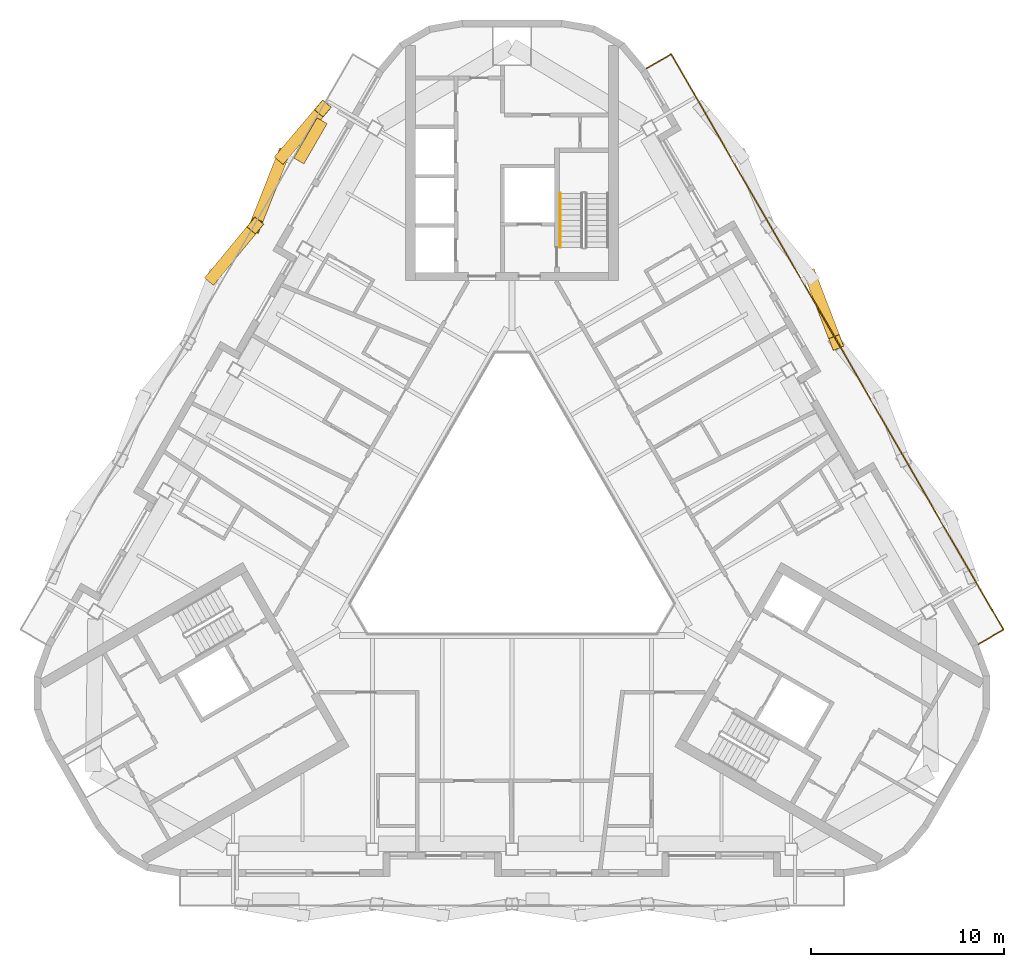
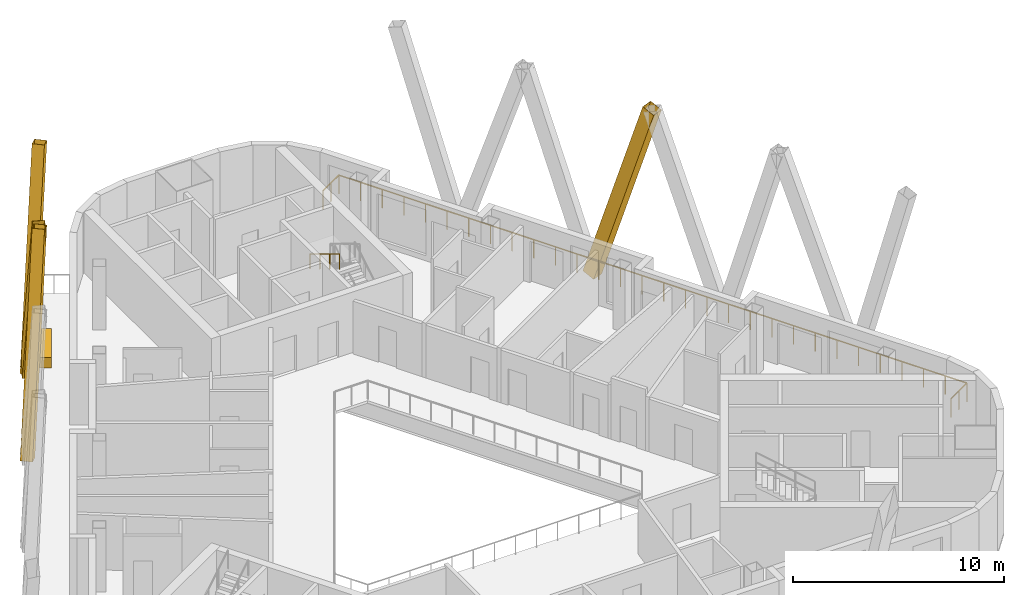
# One storey, part 12 of 13: 4 shading devices, 2 railings, 1 covering.
"""IFC4 building model written with IfcOpenShell, lengths in metres."""

from ifc_helpers import new_model, si_unit, direction, frame, origin, origin_2d, place, context, subcontext, project, spatial, rectangle, hollow_rectangle, circle, extrude, material, material_profile, profile_set, type_object, element, save


model = new_model("IFC4")

# Units and contexts
model_context = context("Model", 3, precision=1e-05, world=origin(), true_north=direction((0.0, 1.0)))
body_context = subcontext(model_context, "Body", "Model", "MODEL_VIEW")
ifc_project = project(units=[si_unit("LENGTHUNIT", "METRE"), si_unit("AREAUNIT", "SQUARE_METRE"), si_unit("VOLUMEUNIT", "CUBIC_METRE"), si_unit("PLANEANGLEUNIT", "RADIAN"), si_unit("MASSUNIT", "GRAM", prefix="KILO")], contexts=[model_context])

# Site, building, storey
site_placement = place(None, origin())
site = spatial("IfcSite", under=ifc_project, at=site_placement, CompositionType="ELEMENT")
building_placement = place(site_placement, origin())
building = spatial("IfcBuilding", under=site, at=building_placement, Name="Apuvela Tower Hotel", CompositionType="ELEMENT")
storey_placement = place(building_placement, frame((0.0, 0.0, 280.0)))
storey = spatial("IfcBuildingStorey", under=building, at=storey_placement, Name="L69", CompositionType="ELEMENT", Elevation=280.0)

# Railing
ifc_material_1 = material(Name="Stainless steel 316 handrail", Category="steel")
railing_type_1 = type_object("IfcRailingType", Name="COR-HANDRAIL-900", PredefinedType="HANDRAIL", material=ifc_material_1)
railing_1_placement = place(storey_placement, frame((2.5, 17.39990234375, 2.01806640625)))
element("IfcRailing", 1, at=railing_1_placement, inside=storey, type_object=railing_type_1, Name="L69 ST1 stair handrail 2", PredefinedType="HANDRAIL", context=body_context, shape_type="SweptSolid", body=[
    extrude(circle(Radius=0.02392578125, at=origin_2d()), frame((0.0, 0.0, 0.8759765625), z_axis=(0.0, -0.857222391501, 0.514946377315), x_axis=(1.0, 0.0, 0.0)), (0.0, 0.0, 1.0), 3.26611328125),
    extrude(rectangle(XDim=0.0419921875, YDim=0.0419921875, at=origin_2d()), origin(), (0.0, 0.0, 1.0), 0.851806640625),
    extrude(rectangle(XDim=0.0419921875, YDim=0.0419921875, at=origin_2d()), frame((0.0, -0.933349609375, 0.560546875)), (0.0, 0.0, 1.0), 0.851806640625),
    extrude(rectangle(XDim=0.0419921875, YDim=0.0419921875, at=origin_2d()), frame((0.0, -1.866455078125, 1.121337890625)), (0.0, 0.0, 1.0), 0.851806640625),
    extrude(rectangle(XDim=0.0419921875, YDim=0.0419921875, at=origin_2d()), frame((0.0, -2.7998046875, 1.681884765625)), (0.0, 0.0, 1.0), 0.851806640625),
])

# Shading devices
ifc_material_2 = material(Name="Aluminium 6063-T6, black anodised", Category="aluminium")
ifc_material_profile = material_profile(ifc_material_2, hollow_rectangle(XDim=0.60009765625, YDim=0.699951171875, WallThickness=0.011962890625, at=origin_2d()), Name="AL BOX 700x600x12")
ifc_profile_set = profile_set([ifc_material_profile], Name="Aluminium 6063-T6, black anodised")
shading_device_type = type_object("IfcShadingDeviceType", Name="ENV-FIN-700x600", PredefinedType="USERDEFINED", material=ifc_profile_set)
shading_device_1_placement = place(storey_placement, frame((15.455078125, 13.088623046875, -0.10009765625), z_axis=(0.112320151991, -0.291622894621, 0.949915928274), x_axis=(0.93317663974, 0.359418083912, 0.0)))
element("IfcShadingDevice", 2, at=shading_device_1_placement, inside=storey, type_object=shading_device_type, Name="Lattice fin NE589", ObjectType="FIN", PredefinedType="USERDEFINED", context=body_context, shape_type="SweptSolid", body=[
    extrude(hollow_rectangle(XDim=0.60009765625, YDim=0.699951171875, WallThickness=0.011962890625, at=origin_2d()), origin(), (0.0, 0.0, 1.0), 11.685302734375),
])
shading_device_2_placement = place(storey_placement, frame((-11.847412109375, 19.33740234375, -0.10009765625), z_axis=(0.178910023355, 0.211686948258, 0.960822480732), x_axis=(-0.763759239097, 0.645501219746, 0.0)))
element("IfcShadingDevice", 3, at=shading_device_2_placement, inside=storey, type_object=shading_device_type, Name="Lattice fin NW617", ObjectType="FIN", PredefinedType="USERDEFINED", context=body_context, shape_type="SweptSolid", body=[
    extrude(hollow_rectangle(XDim=0.60009765625, YDim=0.699951171875, WallThickness=0.011962890625, at=origin_2d()), origin(), (0.0, 0.0, 1.0), 11.552734375),
])
shading_device_3_placement = place(storey_placement, frame((-11.847412109375, 19.33740234375, -0.10009765625), z_axis=(-0.121344278879, -0.306662158583, 0.944051845227), x_axis=(0.929851044229, -0.367936184066, 0.0)))
element("IfcShadingDevice", 4, at=shading_device_3_placement, inside=storey, type_object=shading_device_type, Name="Lattice fin NW618", ObjectType="FIN", PredefinedType="USERDEFINED", context=body_context, shape_type="SweptSolid", body=[
    extrude(hollow_rectangle(XDim=0.60009765625, YDim=0.699951171875, WallThickness=0.011962890625, at=origin_2d()), origin(), (0.0, 0.0, 1.0), 11.7578125),
])
shading_device_4_placement = place(storey_placement, frame((-15.455078125, 13.088623046875, -0.10009765625), z_axis=(0.187734450826, 0.227517425797, 0.955505937675), x_axis=(-0.771319065559, 0.636448661799, 0.0)))
element("IfcShadingDevice", 5, at=shading_device_4_placement, inside=storey, type_object=shading_device_type, Name="Lattice fin NW619", ObjectType="FIN", PredefinedType="USERDEFINED", context=body_context, shape_type="SweptSolid", body=[
    extrude(hollow_rectangle(XDim=0.60009765625, YDim=0.699951171875, WallThickness=0.011962890625, at=origin_2d()), origin(), (0.0, 0.0, 1.0), 11.616943359375),
])

# Railing
ifc_material_3 = material(Name="Stainless steel 316 rail with laminated glass infill", Category="steel")
railing_type_2 = type_object("IfcRailingType", Name="ENV-GUARD-1100", PredefinedType="GUARDRAIL", material=ifc_material_3)
railing_2_placement = place(storey_placement, frame((24.119384765625, -5.91845703125, 0.0)))
element("IfcRailing", 6, at=railing_2_placement, inside=storey, type_object=railing_type_2, Name="Balcony guard NE L69", PredefinedType="GUARDRAIL", context=body_context, shape_type="SweptSolid", body=[
    extrude(rectangle(XDim=0.050048828125, YDim=0.050048828125, at=origin_2d()), frame((0.0, 0.0, 1.0751953125), z_axis=(0.86599040064, 0.500060622324, 0.0), x_axis=(-0.500060622324, 0.86599040064, 0.0)), (0.0, 0.0, 1.0), 1.499755859375),
    extrude(rectangle(XDim=0.050048828125, YDim=0.050048828125, at=origin_2d()), frame((1.298828125, 0.75, 1.0751953125), z_axis=(-0.499997097509, 0.866027079532, 0.0), x_axis=(-0.866027079532, -0.499997097509, 0.0)), (0.0, 0.0, 1.0), 34.370361328125),
    extrude(rectangle(XDim=0.050048828125, YDim=0.050048828125, at=origin_2d()), frame((-15.88623046875, 30.515625, 1.0751953125), z_axis=(-0.866031096941, -0.499990139034, 0.0), x_axis=(0.499990139034, -0.866031096941, 0.0)), (0.0, 0.0, 1.0), 1.5),
    extrude(rectangle(XDim=0.0400390625, YDim=0.0400390625, at=origin_2d()), origin(), (0.0, 0.0, 1.0), 1.050048828125),
    extrude(rectangle(XDim=0.0400390625, YDim=0.0400390625, at=origin_2d()), frame((0.6494140625, 0.375, 0.0)), (0.0, 0.0, 1.0), 1.050048828125),
    extrude(rectangle(XDim=0.0400390625, YDim=0.0400390625, at=origin_2d()), frame((1.298828125, 0.75, 0.0)), (0.0, 0.0, 1.0), 1.050048828125),
    extrude(rectangle(XDim=0.0400390625, YDim=0.0400390625, at=origin_2d()), frame((0.706298828125, 1.7763671875, 0.0)), (0.0, 0.0, 1.0), 1.050048828125),
    extrude(rectangle(XDim=0.0400390625, YDim=0.0400390625, at=origin_2d()), frame((0.11376953125, 2.802734375, 0.0)), (0.0, 0.0, 1.0), 1.050048828125),
    extrude(rectangle(XDim=0.0400390625, YDim=0.0400390625, at=origin_2d()), frame((-0.47900390625, 3.8291015625, 0.0)), (0.0, 0.0, 1.0), 1.050048828125),
    extrude(rectangle(XDim=0.0400390625, YDim=0.0400390625, at=origin_2d()), frame((-1.071533203125, 4.855712890625, 0.0)), (0.0, 0.0, 1.0), 1.050048828125),
    extrude(rectangle(XDim=0.0400390625, YDim=0.0400390625, at=origin_2d()), frame((-1.6640625, 5.882080078125, 0.0)), (0.0, 0.0, 1.0), 1.050048828125),
    extrude(rectangle(XDim=0.0400390625, YDim=0.0400390625, at=origin_2d()), frame((-2.256591796875, 6.908447265625, 0.0)), (0.0, 0.0, 1.0), 1.050048828125),
    extrude(rectangle(XDim=0.0400390625, YDim=0.0400390625, at=origin_2d()), frame((-2.849365234375, 7.934814453125, 0.0)), (0.0, 0.0, 1.0), 1.050048828125),
    extrude(rectangle(XDim=0.0400390625, YDim=0.0400390625, at=origin_2d()), frame((-3.44189453125, 8.961181640625, 0.0)), (0.0, 0.0, 1.0), 1.050048828125),
    extrude(rectangle(XDim=0.0400390625, YDim=0.0400390625, at=origin_2d()), frame((-4.034423828125, 9.987548828125, 0.0)), (0.0, 0.0, 1.0), 1.050048828125),
    extrude(rectangle(XDim=0.0400390625, YDim=0.0400390625, at=origin_2d()), frame((-4.626953125, 11.013916015625, 0.0)), (0.0, 0.0, 1.0), 1.050048828125),
    extrude(rectangle(XDim=0.0400390625, YDim=0.0400390625, at=origin_2d()), frame((-5.2197265625, 12.04052734375, 0.0)), (0.0, 0.0, 1.0), 1.050048828125),
    extrude(rectangle(XDim=0.0400390625, YDim=0.0400390625, at=origin_2d()), frame((-5.812255859375, 13.06689453125, 0.0)), (0.0, 0.0, 1.0), 1.050048828125),
    extrude(rectangle(XDim=0.0400390625, YDim=0.0400390625, at=origin_2d()), frame((-6.40478515625, 14.09326171875, 0.0)), (0.0, 0.0, 1.0), 1.050048828125),
    extrude(rectangle(XDim=0.0400390625, YDim=0.0400390625, at=origin_2d()), frame((-6.997314453125, 15.11962890625, 0.0)), (0.0, 0.0, 1.0), 1.050048828125),
    extrude(rectangle(XDim=0.0400390625, YDim=0.0400390625, at=origin_2d()), frame((-7.590087890625, 16.14599609375, 0.0)), (0.0, 0.0, 1.0), 1.050048828125),
    extrude(rectangle(XDim=0.0400390625, YDim=0.0400390625, at=origin_2d()), frame((-8.1826171875, 17.17236328125, 0.0)), (0.0, 0.0, 1.0), 1.050048828125),
    extrude(rectangle(XDim=0.0400390625, YDim=0.0400390625, at=origin_2d()), frame((-8.775146484375, 18.19873046875, 0.0)), (0.0, 0.0, 1.0), 1.050048828125),
    extrude(rectangle(XDim=0.0400390625, YDim=0.0400390625, at=origin_2d()), frame((-9.36767578125, 19.22509765625, 0.0)), (0.0, 0.0, 1.0), 1.050048828125),
    extrude(rectangle(XDim=0.0400390625, YDim=0.0400390625, at=origin_2d()), frame((-9.96044921875, 20.251708984375, 0.0)), (0.0, 0.0, 1.0), 1.050048828125),
    extrude(rectangle(XDim=0.0400390625, YDim=0.0400390625, at=origin_2d()), frame((-10.552978515625, 21.278076171875, 0.0)), (0.0, 0.0, 1.0), 1.050048828125),
    extrude(rectangle(XDim=0.0400390625, YDim=0.0400390625, at=origin_2d()), frame((-11.1455078125, 22.304443359375, 0.0)), (0.0, 0.0, 1.0), 1.050048828125),
    extrude(rectangle(XDim=0.0400390625, YDim=0.0400390625, at=origin_2d()), frame((-11.738037109375, 23.330810546875, 0.0)), (0.0, 0.0, 1.0), 1.050048828125),
    extrude(rectangle(XDim=0.0400390625, YDim=0.0400390625, at=origin_2d()), frame((-12.330810546875, 24.357177734375, 0.0)), (0.0, 0.0, 1.0), 1.050048828125),
    extrude(rectangle(XDim=0.0400390625, YDim=0.0400390625, at=origin_2d()), frame((-12.92333984375, 25.383544921875, 0.0)), (0.0, 0.0, 1.0), 1.050048828125),
    extrude(rectangle(XDim=0.0400390625, YDim=0.0400390625, at=origin_2d()), frame((-13.515869140625, 26.409912109375, 0.0)), (0.0, 0.0, 1.0), 1.050048828125),
    extrude(rectangle(XDim=0.0400390625, YDim=0.0400390625, at=origin_2d()), frame((-14.1083984375, 27.4365234375, 0.0)), (0.0, 0.0, 1.0), 1.050048828125),
    extrude(rectangle(XDim=0.0400390625, YDim=0.0400390625, at=origin_2d()), frame((-14.701171875, 28.462890625, 0.0)), (0.0, 0.0, 1.0), 1.050048828125),
    extrude(rectangle(XDim=0.0400390625, YDim=0.0400390625, at=origin_2d()), frame((-15.293701171875, 29.4892578125, 0.0)), (0.0, 0.0, 1.0), 1.050048828125),
    extrude(rectangle(XDim=0.0400390625, YDim=0.0400390625, at=origin_2d()), frame((-15.88623046875, 30.515625, 0.0)), (0.0, 0.0, 1.0), 1.050048828125),
    extrude(rectangle(XDim=0.0400390625, YDim=0.0400390625, at=origin_2d()), frame((-16.53564453125, 30.140625, 0.0)), (0.0, 0.0, 1.0), 1.050048828125),
    extrude(rectangle(XDim=0.0400390625, YDim=0.0400390625, at=origin_2d()), frame((-17.185302734375, 29.765625, 0.0)), (0.0, 0.0, 1.0), 1.050048828125),
])

# Covering
ifc_material_4 = material(Name="Planting substrate and soil, planted")
covering_type = type_object("IfcCoveringType", Name="ENV-PLANTER-2400x600", PredefinedType="USERDEFINED", material=ifc_material_4)
covering_placement = place(storey_placement, frame((-10.419921875, 20.10986328125, 0.0), z_axis=(0.0, 0.0, 1.0), x_axis=(-0.5, -0.866025403784, 0.0)))
element("IfcCovering", 7, at=covering_placement, inside=storey, type_object=covering_type, Name="Planter NW4", ObjectType="PLANTER", PredefinedType="USERDEFINED", context=body_context, shape_type="SweptSolid", body=[
    extrude(rectangle(XDim=2.39990234375, YDim=0.60009765625, at=origin_2d()), origin(), (0.0, 0.0, 1.0), 0.60009765625),
])

save(model, "model.ifc")
